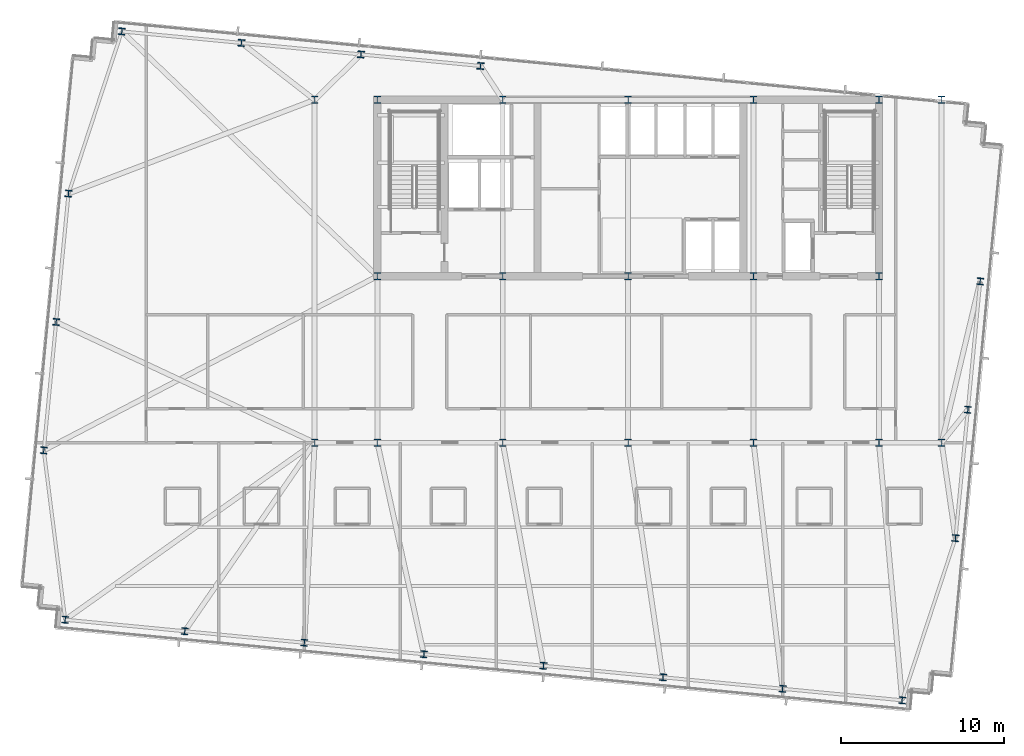
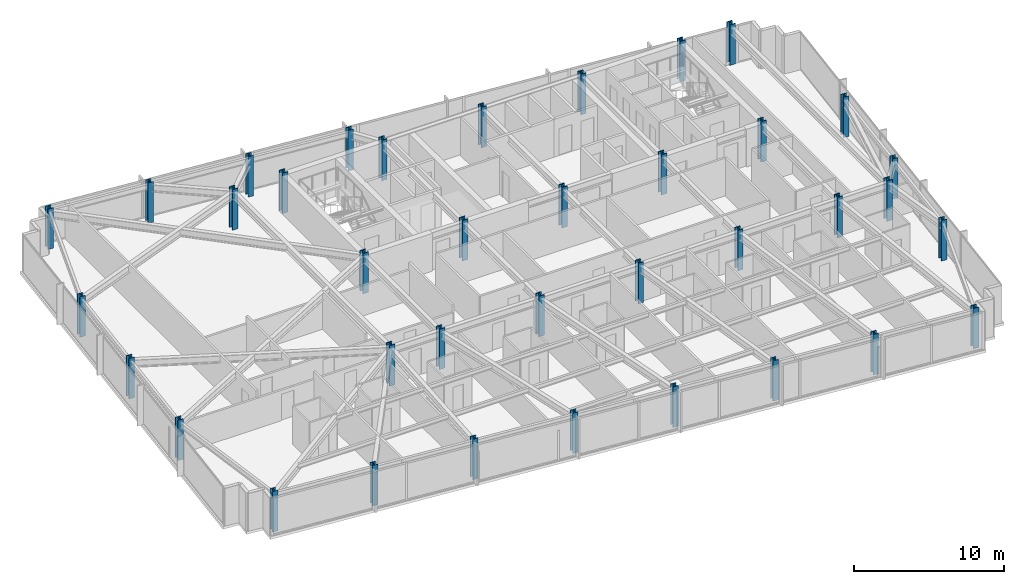
# One storey, part 1 of 38: 37 columns.
"""IFC4 building model written with IfcOpenShell, lengths in metres."""

from ifc_helpers import new_model, si_unit, direction, frame, origin, origin_2d, place, context, subcontext, project, spatial, i_section, extrude, material, material_profile, profile_set, type_object, element, save


model = new_model("IFC4")

# Units and contexts
model_context = context("Model", 3, precision=1e-05, world=origin(), true_north=direction((0.0, 1.0)))
body_context = subcontext(model_context, "Body", "Model", "MODEL_VIEW")
ifc_project = project(units=[si_unit("LENGTHUNIT", "METRE"), si_unit("AREAUNIT", "SQUARE_METRE"), si_unit("VOLUMEUNIT", "CUBIC_METRE"), si_unit("PLANEANGLEUNIT", "RADIAN"), si_unit("MASSUNIT", "GRAM", prefix="KILO")], contexts=[model_context])

# Site, building, storey
site_placement = place(None, origin())
site = spatial("IfcSite", under=ifc_project, at=site_placement, CompositionType="ELEMENT")
building_placement = place(site_placement, origin())
building = spatial("IfcBuilding", under=site, at=building_placement, Name="Yelkora Congress Tower", CompositionType="ELEMENT")
storey_placement = place(building_placement, frame((0.0, 0.0, 155.60009765625)))
storey = spatial("IfcBuildingStorey", under=building, at=storey_placement, Name="L42", CompositionType="ELEMENT", Elevation=155.60009765625)

# Columns
ifc_material = material(Name="Steel S460M", Category="steel")
ifc_material_profile_1 = material_profile(ifc_material, i_section(OverallWidth=0.406005859375, OverallDepth=0.416015625, WebThickness=0.02978515625, FlangeThickness=0.048095703125, FilletRadius=0.014892578125, at=origin_2d()), Name="HD 400x382")
ifc_profile_set_1 = profile_set([ifc_material_profile_1], Name="Steel S460M")
column_type_1 = type_object("IfcColumnType", Name="COL-HD-382-EXT", PredefinedType="COLUMN", material=ifc_profile_set_1)
for number, where, z_axis, x_axis, name in (
    (1, (3.919189453125, 14.357421875, 0.0), (0.0, 0.0, 1.0), (0.995396198367, -0.09584575252, 0.0), "L42 Perimeter Column S01"),
    (2, (11.242431640625, 13.652099609375, 0.0), (0.0, 0.0, 1.0), (0.995396198367, -0.09584575252, 0.0), "L42 Perimeter Column S02"),
    (3, (18.56591796875, 12.947021484375, 0.0), (0.0, 0.0, 1.0), (0.995396198367, -0.09584575252, 0.0), "L42 Perimeter Column S03"),
    (4, (25.888916015625, 12.24169921875, 0.0), (0.0, 0.0, 1.0), (0.995396198367, -0.09584575252, 0.0), "L42 Perimeter Column S04"),
    (5, (33.21240234375, 11.53662109375, 0.0), (0.0, 0.0, 1.0), (0.995396198367, -0.09584575252, 0.0), "L42 Perimeter Column S05"),
    (6, (40.53564453125, 10.83154296875, 0.0), (0.0, 0.0, 1.0), (0.995396198367, -0.09584575252, 0.0), "L42 Perimeter Column S06"),
    (7, (47.85888671875, 10.12646484375, 0.0), (0.0, 0.0, 1.0), (0.995396198367, -0.09584575252, 0.0), "L42 Perimeter Column S07"),
    (8, (55.18212890625, 9.421142578125, 0.0), (0.0, 0.0, 1.0), (0.995396198367, -0.09584575252, 0.0), "L42 Perimeter Column S08"),
    (9, (7.388916015625, 50.390625, 0.0), (0.0, 0.0, 1.0), (0.995396198367, -0.09584575252, 0.0), "L42 Perimeter Column N01"),
    (10, (14.712158203125, 49.685546875, 0.0), (0.0, 0.0, 1.0), (0.995396198367, -0.09584575252, 0.0), "L42 Perimeter Column N02"),
    (11, (22.035400390625, 48.980224609375, 0.0), (0.0, 0.0, 1.0), (0.995396198367, -0.09584575252, 0.0), "L42 Perimeter Column N03"),
    (12, (29.358642578125, 48.275146484375, 0.0), (0.0, 0.0, 1.0), (0.995396198367, -0.09584575252, 0.0), "L42 Perimeter Column N04"),
    (13, (2.607421875, 24.730712890625, 0.0), (0.0, 0.0, 1.0), (0.995396198367, -0.09584575252, 0.0), "L42 Perimeter Column W01"),
    (14, (58.44921875, 19.353759765625, 0.0), (0.0, 0.0, 1.0), (0.995396198367, -0.09584575252, 0.0), "L42 Perimeter Column E01"),
    (15, (3.364501953125, 32.594482421875, 0.0), (0.0, 0.0, 1.0), (0.995396198367, -0.09584575252, 0.0), "L42 Perimeter Column W02"),
    (16, (59.206298828125, 27.217529296875, 0.0), (0.0, 0.0, 1.0), (0.995396198367, -0.09584575252, 0.0), "L42 Perimeter Column E02"),
    (17, (4.121826171875, 40.4580078125, 0.0), (0.0, 0.0, 1.0), (0.995396198367, -0.09584575252, 0.0), "L42 Perimeter Column W03"),
    (18, (59.96337890625, 35.0810546875, 0.0), (0.0, 0.0, 1.0), (0.995396198367, -0.09584575252, 0.0), "L42 Perimeter Column E03"),
):
    element("IfcColumn", number, at=place(storey_placement, frame(where, z_axis=z_axis, x_axis=x_axis)), inside=storey, type_object=column_type_1, Name=name, PredefinedType="COLUMN", context=body_context, shape_type="SweptSolid", body=[
        extrude(i_section(OverallWidth=0.406005859375, OverallDepth=0.416015625, WebThickness=0.02978515625, FlangeThickness=0.048095703125, FilletRadius=0.014892578125, at=origin_2d()), origin(), (0.0, 0.0, 1.0), 3.2998046875),
    ])
ifc_material_profile_2 = material_profile(ifc_material, i_section(OverallWidth=0.41796875, OverallDepth=0.455078125, WebThickness=0.0419921875, FlangeThickness=0.068115234375, FilletRadius=0.014892578125, at=origin_2d()), Name="HD 400x551")
ifc_profile_set_2 = profile_set([ifc_material_profile_2], Name="Steel S460M")
column_type_2 = type_object("IfcColumnType", Name="COL-HD-551", PredefinedType="COLUMN", material=ifc_profile_set_2)
for number, where, z_axis, x_axis, name in (
    (19, (23.0400390625, 35.39990234375, 0.0), (0.0, 0.0, 1.0), (1.0, 0.0, 0.0), "L42 Mega Column MC-S1"),
    (20, (23.0400390625, 46.199951171875, 0.0), (0.0, 0.0, 1.0), (1.0, 0.0, 0.0), "L42 Mega Column MC-N1"),
    (21, (23.0400390625, 25.199951171875, 0.0), (0.0, 0.0, 1.0), (1.0, 0.0, 0.0), "L42 Mega Column MC-D1"),
    (22, (30.719970703125, 35.39990234375, 0.0), (0.0, 0.0, 1.0), (1.0, 0.0, 0.0), "L42 Mega Column MC-S2"),
    (23, (30.719970703125, 46.199951171875, 0.0), (0.0, 0.0, 1.0), (1.0, 0.0, 0.0), "L42 Mega Column MC-N2"),
    (24, (30.719970703125, 25.199951171875, 0.0), (0.0, 0.0, 1.0), (1.0, 0.0, 0.0), "L42 Mega Column MC-D2"),
    (25, (38.39990234375, 35.39990234375, 0.0), (0.0, 0.0, 1.0), (1.0, 0.0, 0.0), "L42 Mega Column MC-S3"),
    (26, (38.39990234375, 46.199951171875, 0.0), (0.0, 0.0, 1.0), (1.0, 0.0, 0.0), "L42 Mega Column MC-N3"),
    (27, (38.39990234375, 25.199951171875, 0.0), (0.0, 0.0, 1.0), (1.0, 0.0, 0.0), "L42 Mega Column MC-D3"),
    (28, (46.080078125, 35.39990234375, 0.0), (0.0, 0.0, 1.0), (1.0, 0.0, 0.0), "L42 Mega Column MC-S4"),
    (29, (46.080078125, 46.199951171875, 0.0), (0.0, 0.0, 1.0), (1.0, 0.0, 0.0), "L42 Mega Column MC-N4"),
    (30, (46.080078125, 25.199951171875, 0.0), (0.0, 0.0, 1.0), (1.0, 0.0, 0.0), "L42 Mega Column MC-D4"),
    (31, (53.760009765625, 35.39990234375, 0.0), (0.0, 0.0, 1.0), (1.0, 0.0, 0.0), "L42 Mega Column MC-S5"),
    (32, (53.760009765625, 46.199951171875, 0.0), (0.0, 0.0, 1.0), (1.0, 0.0, 0.0), "L42 Mega Column MC-N5"),
    (33, (53.760009765625, 25.199951171875, 0.0), (0.0, 0.0, 1.0), (1.0, 0.0, 0.0), "L42 Mega Column MC-D5"),
    (34, (19.199951171875, 25.199951171875, 0.0), (0.0, 0.0, 1.0), (1.0, 0.0, 0.0), "L42 Mega Column MC-F1"),
    (35, (57.60009765625, 25.199951171875, 0.0), (0.0, 0.0, 1.0), (1.0, 0.0, 0.0), "L42 Mega Column MC-F2"),
    (36, (19.199951171875, 46.199951171875, 0.0), (0.0, 0.0, 1.0), (1.0, 0.0, 0.0), "L42 Mega Column MC-F3"),
    (37, (57.60009765625, 46.199951171875, 0.0), (0.0, 0.0, 1.0), (1.0, 0.0, 0.0), "L42 Mega Column MC-F4"),
):
    element("IfcColumn", number, at=place(storey_placement, frame(where, z_axis=z_axis, x_axis=x_axis)), inside=storey, type_object=column_type_2, Name=name, PredefinedType="COLUMN", context=body_context, shape_type="SweptSolid", body=[
        extrude(i_section(OverallWidth=0.41796875, OverallDepth=0.455078125, WebThickness=0.0419921875, FlangeThickness=0.068115234375, FilletRadius=0.014892578125, at=origin_2d()), origin(), (0.0, 0.0, 1.0), 3.2998046875),
    ])

save(model, "model.ifc")
